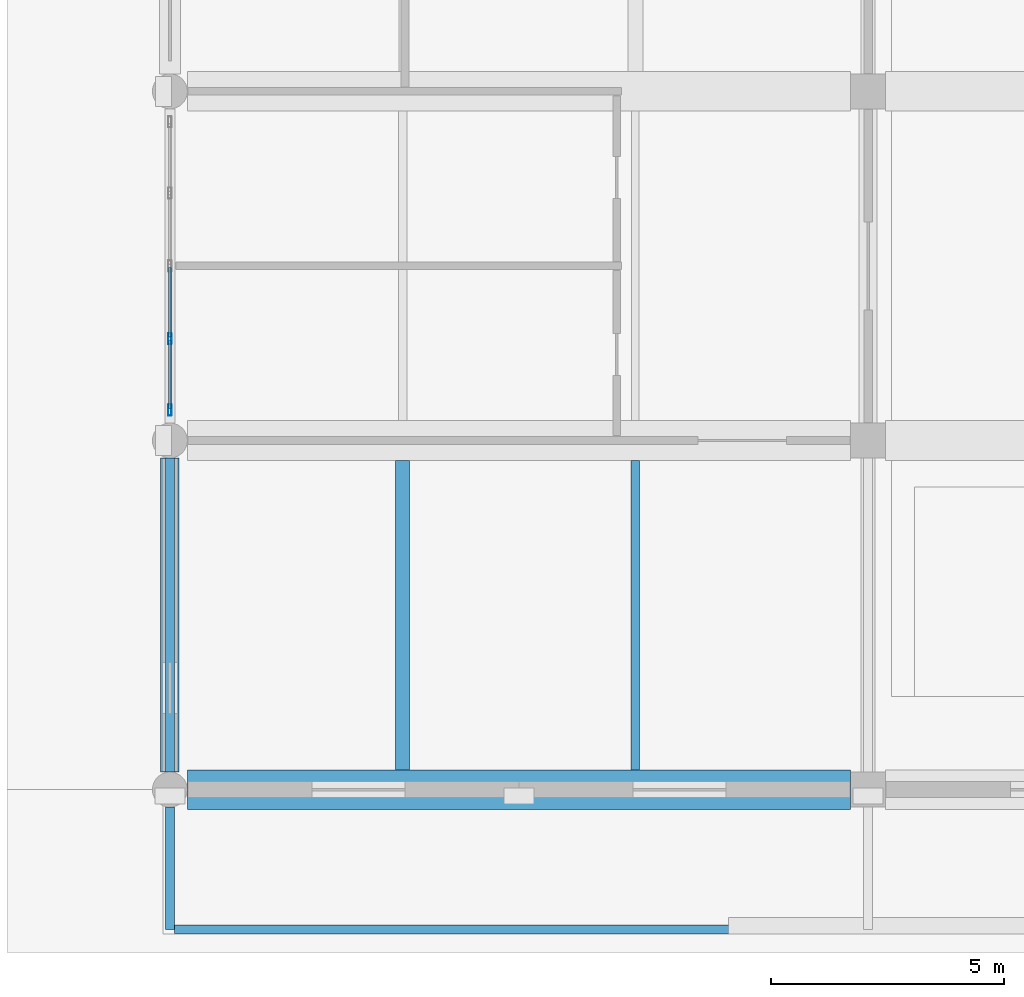
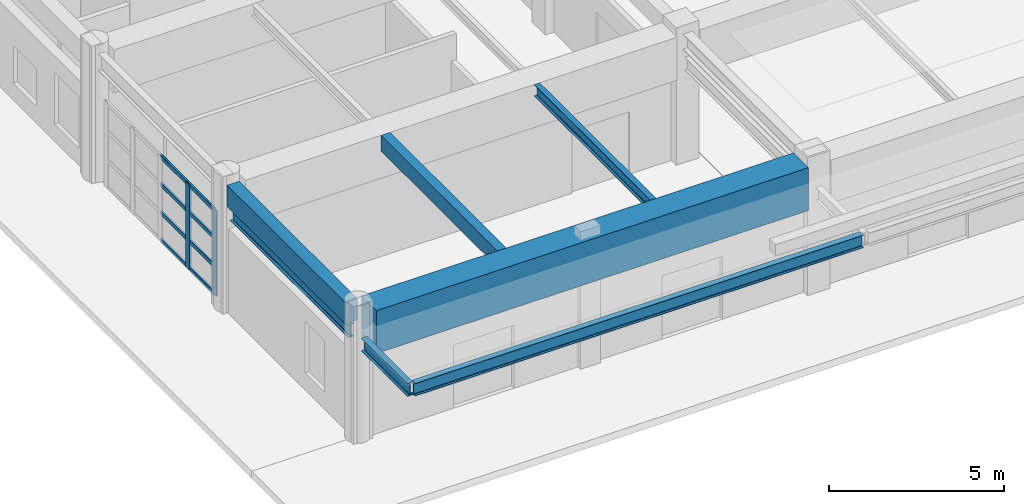
# One storey, part 3 of 122: 10 members, 7 beams, 1 element without a shape of its own.
"""IFC4 building model written with IfcOpenShell, lengths in metres."""

import ifcopenshell
import ifcopenshell.guid

model = None  # the IFC model being written
_history = None  # IfcOwnerHistory: only IFC2X3 demands one
_inside = {}  # id of a spatial element -> (the spatial element, [elements in it])
_under = {}  # id of a project, library or spatial element -> (it, [spatial elements below it])
_declared = {}  # id of a project -> (the project, [libraries it declares])
_typed = {}  # id of a type object -> (the type object, [elements of that type])
_made_of = {}  # id of a material, layer set ... -> (it, [elements and type objects made of it])


def new_model(schema):
    """Start an empty IFC model of exactly this schema.

    Asked for "IFC4X3", IfcOpenShell would pick the latest addendum, in which some entities
    have other attributes; the version numbers below select the first issue.
    IFC2X3 requires an IfcOwnerHistory on every rooted entity: one is made here for all.
    """
    global model, _history
    if schema == "IFC4X3":
        model = ifcopenshell.file(schema_version=(4, 3, 0, 0))
    else:
        model = ifcopenshell.file(schema=schema)
    _inside.clear()
    _under.clear()
    _declared.clear()
    _typed.clear()
    _made_of.clear()
    _history = None
    if model.schema == "IFC2X3":
        org = make("IfcOrganization", Name="unknown")
        user = make(
            "IfcPersonAndOrganization",
            ThePerson=make("IfcPerson", FamilyName="unknown"),
            TheOrganization=org,
        )
        app = make(
            "IfcApplication",
            ApplicationDeveloper=org,
            Version="unknown",
            ApplicationFullName="unknown",
            ApplicationIdentifier="unknown",
        )
        _history = make(
            "IfcOwnerHistory",
            OwningUser=user,
            OwningApplication=app,
            ChangeAction="ADDED",
            CreationDate=0,
        )
    return model


def make(cls, **values):
    """One entity of the class cls with the attributes given. An attribute that is None is left unset."""
    return model.create_entity(
        cls, **{name: value for name, value in values.items() if value is not None}
    )


def rooted(cls, **values):
    """An entity with a GlobalId (a new one), such as an element, a storey or a relation."""
    return make(cls, GlobalId=ifcopenshell.guid.new(), OwnerHistory=_history, **values)


def si_unit(unit_type, name, prefix=None):
    """IfcSIUnit, for example si_unit("LENGTHUNIT", "METRE", prefix="MILLI")."""
    return make("IfcSIUnit", UnitType=unit_type, Prefix=prefix, Name=name)


def assignment(units):
    """IfcUnitAssignment: the units of a project."""
    return None if units is None else make("IfcUnitAssignment", Units=units)


def point(xyz):
    """IfcCartesianPoint."""
    return None if xyz is None else make("IfcCartesianPoint", Coordinates=xyz)


def direction(xyz):
    """IfcDirection."""
    return None if xyz is None else make("IfcDirection", DirectionRatios=xyz)


def frame(location, z_axis=None, x_axis=None):
    """IfcAxis2Placement3D, a coordinate frame: its origin and axes. An axis left out is left unset."""
    return make(
        "IfcAxis2Placement3D",
        Location=point(location),
        Axis=direction(z_axis),
        RefDirection=direction(x_axis),
    )


def frame_2d(location, x_axis=None):
    """IfcAxis2Placement2D, a coordinate frame in the plane: its origin and x axis."""
    return make(
        "IfcAxis2Placement2D", Location=point(location), RefDirection=direction(x_axis)
    )


def origin():
    """The frame at (0, 0, 0) with its axes left unset."""
    return frame((0.0, 0.0, 0.0))


def origin_2d():
    """The frame at (0, 0) in the plane with its x axis left unset."""
    return frame_2d((0.0, 0.0))


def place(relative_to, where):
    """IfcLocalPlacement: puts the frame where relative to a parent placement (None: the world)."""
    return make(
        "IfcLocalPlacement", PlacementRelTo=relative_to, RelativePlacement=where
    )


def context(
    kind, dimensions, precision=None, world=None, true_north=None, identifier=None
):
    """IfcGeometricRepresentationContext, for example the 3D "Model" context."""
    return make(
        "IfcGeometricRepresentationContext",
        ContextIdentifier=identifier,
        ContextType=kind,
        CoordinateSpaceDimension=dimensions,
        Precision=precision,
        WorldCoordinateSystem=world,
        TrueNorth=true_north,
    )


def subcontext(parent, identifier, kind, view, scale=None):
    """IfcGeometricRepresentationSubContext, for example "Body" below "Model"."""
    return make(
        "IfcGeometricRepresentationSubContext",
        ContextIdentifier=identifier,
        ContextType=kind,
        ParentContext=parent,
        TargetScale=scale,
        TargetView=view,
    )


def project(units=None, contexts=None):
    """IfcProject with its units and contexts."""
    return rooted(
        "IfcProject",
        Name="project",
        RepresentationContexts=contexts,
        UnitsInContext=assignment(units),
    )


def spatial(cls, under=None, at=None, **own):
    """A site, building, storey or space (cls), placed at a placement, below another one or the project."""
    s = rooted(cls, ObjectPlacement=at, **own)
    if under is not None:
        _under.setdefault(under.id(), (under, []))[1].append(s)
    return s


def profile(cls, at=None, kind="AREA", **sizes):
    """A parametric profile (cls). Its sizes go by their IFC names, for example OverallWidth=200.0."""
    return make(cls, ProfileType=kind, Position=at, **sizes)


def rectangle(**sizes):
    """IfcRectangleProfileDef."""
    return profile("IfcRectangleProfileDef", **sizes)


def hollow_rectangle(**sizes):
    """IfcRectangleHollowProfileDef."""
    return profile("IfcRectangleHollowProfileDef", **sizes)


def i_section(**sizes):
    """IfcIShapeProfileDef."""
    return profile("IfcIShapeProfileDef", **sizes)


def extrude(swept, where, along, depth):
    """IfcExtrudedAreaSolid: the profile swept, set in the frame where, extruded along a direction by depth."""
    return make(
        "IfcExtrudedAreaSolid",
        SweptArea=swept,
        Position=where,
        ExtrudedDirection=direction(along),
        Depth=depth,
    )


def shape(context_of_items, identifier, shape_type, items):
    """IfcShapeRepresentation: the items that make up one representation, for example the "Body"."""
    return make(
        "IfcShapeRepresentation",
        ContextOfItems=context_of_items,
        RepresentationIdentifier=identifier,
        RepresentationType=shape_type,
        Items=items,
    )


def material(Name=None, Category=None):
    """IfcMaterial."""
    return make("IfcMaterial", Name=Name, Category=Category)


def material_profile(
    of_material, cross_section, Name=None, Category=None, Priority=None
):
    """IfcMaterialProfile: a cross section and its material."""
    return make(
        "IfcMaterialProfile",
        Name=Name,
        Material=of_material,
        Profile=cross_section,
        Priority=Priority,
        Category=Category,
    )


def profile_set(profiles, Name=None, composite=None):
    """IfcMaterialProfileSet."""
    return make(
        "IfcMaterialProfileSet",
        Name=Name,
        MaterialProfiles=profiles,
        CompositeProfile=composite,
    )


def made_of(thing, what):
    """Note that an element or type object is made of a material, layer set ...; save() writes the relation."""
    if what is not None:
        _made_of.setdefault(what.id(), (what, []))[1].append(thing)
    return thing


def type_object(cls, material=None, **own):
    """A type object (cls), such as IfcWallType, which elements share."""
    return made_of(rooted(cls, **own), material)


def element(
    cls,
    number,
    at=None,
    inside=None,
    cuts=None,
    type_object=None,
    material=None,
    context=None,
    identifier="Body",
    shape_type=None,
    held_by="IfcProductDefinitionShape",
    body=None,
    shapes=None,
    **own,
):
    """One element of the class cls, such as IfcWall. Its Tag is "e" and its number.

    at: its placement. inside: the storey or other place that contains it. cuts: it is an
    opening in that element (IfcRelVoidsElement). A single representation is given by context,
    identifier, shape_type and body (its items); several are given by shapes. held_by: the class
    of the entity that holds the representations. save() writes the other relations.
    """
    e = rooted(cls, Tag="e%d" % number, ObjectPlacement=at, **own)
    if body is not None:
        shapes = [shape(context, identifier, shape_type, body)]
    if shapes is not None:
        e.Representation = make(held_by, Representations=shapes)
    if inside is not None:
        _inside.setdefault(inside.id(), (inside, []))[1].append(e)
    if cuts is not None:
        rooted(
            "IfcRelVoidsElement", RelatingBuildingElement=cuts, RelatedOpeningElement=e
        )
    if type_object is not None:
        _typed.setdefault(type_object.id(), (type_object, []))[1].append(e)
    return made_of(e, material)


def aggregate(whole, parts):
    """IfcRelAggregates: a whole, such as a stair, and the parts it consists of."""
    return rooted("IfcRelAggregates", RelatingObject=whole, RelatedObjects=parts)


def save(model, path):
    """Write the relations noted so far, then the file.

    IfcRelAggregates (storeys below a building ...), IfcRelContainedInSpatialStructure (elements
    in a storey), IfcRelDefinesByType, IfcRelAssociatesMaterial and IfcRelDeclares: one each for
    every whole, place, type object, material and project.
    """
    for whole, parts in _under.values():
        aggregate(whole, parts)
    for where, things in _inside.values():
        rooted(
            "IfcRelContainedInSpatialStructure",
            RelatedElements=things,
            RelatingStructure=where,
        )
    for kind, things in _typed.values():
        rooted("IfcRelDefinesByType", RelatedObjects=things, RelatingType=kind)
    for what, things in _made_of.values():
        rooted("IfcRelAssociatesMaterial", RelatedObjects=things, RelatingMaterial=what)
    for by, libraries in _declared.values():
        rooted("IfcRelDeclares", RelatingContext=by, RelatedDefinitions=libraries)
    model.write(path)


model = new_model("IFC4")

# Units and contexts
model_context = context("Model", 3, precision=1e-05, world=origin(), true_north=direction((0.0, 1.0)))
body_context = subcontext(model_context, "Body", "Model", "MODEL_VIEW")
ifc_project = project(units=[si_unit("LENGTHUNIT", "METRE"), si_unit("AREAUNIT", "SQUARE_METRE"), si_unit("VOLUMEUNIT", "CUBIC_METRE"), si_unit("PLANEANGLEUNIT", "RADIAN"), si_unit("MASSUNIT", "GRAM", prefix="KILO")], contexts=[model_context])

# Site, building, storey
site_placement = place(None, origin())
site = spatial("IfcSite", under=ifc_project, at=site_placement, CompositionType="ELEMENT")
building_placement = place(site_placement, origin())
building = spatial("IfcBuilding", under=site, at=building_placement, Name="Qasida Concert Hall", CompositionType="ELEMENT")
storey_placement = place(building_placement, origin())
storey = spatial("IfcBuildingStorey", under=building, at=storey_placement, Name="L00", CompositionType="ELEMENT", Elevation=0.0)

# Beams
ifc_material_1 = material(Name="Steel S355J2", Category="steel")
ifc_material_profile_1 = material_profile(ifc_material_1, i_section(OverallWidth=0.18994140625, OverallDepth=0.449951171875, WebThickness=0.009521484375, FlangeThickness=0.0146484375, FilletRadius=0.02099609375, at=origin_2d()), Name="IPE 450")
ifc_profile_set_1 = profile_set([ifc_material_profile_1], Name="Steel S355J2")
beam_type_1 = type_object("IfcBeamType", Name="BM-B5", PredefinedType="BEAM", material=ifc_profile_set_1)
beam_1_placement = place(storey_placement, frame((0.0, -0.375, 3.449951171875), z_axis=(0.0, -1.0, 0.0), x_axis=(1.0, 0.0, 0.0)))
element("IfcBeam", 1, at=beam_1_placement, inside=storey, type_object=beam_type_1, Name="Grand foyer marquee outrigger beam MRQ-V3-0", PredefinedType="BEAM", context=body_context, shape_type="SweptSolid", body=[
    extrude(i_section(OverallWidth=0.18994140625, OverallDepth=0.449951171875, WebThickness=0.009521484375, FlangeThickness=0.0146484375, FilletRadius=0.02099609375, at=origin_2d()), origin(), (0.0, 0.0, 1.0), 2.625),
])
beam_2_placement = place(storey_placement, frame((0.0, 0.375, 3.449951171875), z_axis=(0.0, 1.0, 0.0), x_axis=(-1.0, 0.0, 0.0)))
element("IfcBeam", 2, at=beam_2_placement, inside=storey, type_object=beam_type_1, Name="Grand foyer marquee backspan beam MRQB-V3-0", PredefinedType="BEAM", context=body_context, shape_type="SweptSolid", body=[
    extrude(i_section(OverallWidth=0.18994140625, OverallDepth=0.449951171875, WebThickness=0.009521484375, FlangeThickness=0.0146484375, FilletRadius=0.02099609375, at=origin_2d()), origin(), (0.0, 0.0, 1.0), 6.75),
])
beam_3_placement = place(storey_placement, frame((0.10009765625, -3.0, 3.449951171875), z_axis=(1.0, 0.0, 0.0), x_axis=(0.0, 1.0, 0.0)))
element("IfcBeam", 3, at=beam_3_placement, inside=storey, type_object=beam_type_1, Name="Grand foyer marquee fascia beam MRQF-V3-1", PredefinedType="BEAM", context=body_context, shape_type="SweptSolid", body=[
    extrude(i_section(OverallWidth=0.18994140625, OverallDepth=0.449951171875, WebThickness=0.009521484375, FlangeThickness=0.0146484375, FilletRadius=0.02099609375, at=origin_2d()), origin(), (0.0, 0.0, 1.0), 14.7998046875),
])
ifc_material_2 = material(Name="Concrete C40/50", Category="concrete")
ifc_material_profile_2 = material_profile(ifc_material_2, rectangle(XDim=0.300048828125, YDim=0.550048828125, at=origin_2d()), Name="RC 300x550")
ifc_profile_set_2 = profile_set([ifc_material_profile_2], Name="Concrete C40/50")
beam_type_2 = type_object("IfcBeamType", Name="BM-J1", PredefinedType="JOIST", material=ifc_profile_set_2)
beam_4_placement = place(storey_placement, frame((5.0, 0.425048828125, 4.22509765625), z_axis=(0.0, 1.0, 0.0), x_axis=(-1.0, 0.0, 0.0)))
element("IfcBeam", 4, at=beam_4_placement, inside=storey, type_object=beam_type_2, Name="L00 secondary joist 0560", PredefinedType="JOIST", context=body_context, shape_type="SweptSolid", body=[
    extrude(rectangle(XDim=0.300048828125, YDim=0.550048828125, at=origin_2d()), origin(), (0.0, 0.0, 1.0), 6.64990234375),
])
ifc_material_profile_3 = material_profile(ifc_material_1, i_section(OverallWidth=0.179931640625, OverallDepth=0.39990234375, WebThickness=0.008544921875, FlangeThickness=0.013427734375, FilletRadius=0.02099609375, at=origin_2d()), Name="IPE 400")
ifc_profile_set_3 = profile_set([ifc_material_profile_3], Name="Steel S355J2")
beam_type_3 = type_object("IfcBeamType", Name="BM-J3", PredefinedType="JOIST", material=ifc_profile_set_3)
beam_5_placement = place(storey_placement, frame((10.0, 0.425048828125, 4.300048828125), z_axis=(0.0, 1.0, 0.0), x_axis=(-1.0, 0.0, 0.0)))
element("IfcBeam", 5, at=beam_5_placement, inside=storey, type_object=beam_type_3, Name="L00 secondary joist 0561", PredefinedType="JOIST", context=body_context, shape_type="SweptSolid", body=[
    extrude(i_section(OverallWidth=0.179931640625, OverallDepth=0.39990234375, WebThickness=0.008544921875, FlangeThickness=0.013427734375, FilletRadius=0.02099609375, at=origin_2d()), origin(), (0.0, 0.0, 1.0), 6.64990234375),
])
ifc_material_profile_4 = material_profile(ifc_material_2, rectangle(XDim=0.39990234375, YDim=0.75, at=origin_2d()), Name="RC 400x750")
ifc_profile_set_4 = profile_set([ifc_material_profile_4], Name="Concrete C40/50")
beam_type_4 = type_object("IfcBeamType", Name="BM-SP1", PredefinedType="SPANDREL", material=ifc_profile_set_4)
beam_6_placement = place(storey_placement, frame((0.0, 0.375, 4.125), z_axis=(0.0, 1.0, 0.0), x_axis=(-1.0, 0.0, 0.0)))
element("IfcBeam", 6, at=beam_6_placement, inside=storey, type_object=beam_type_4, Name="L00 girder 0532", PredefinedType="SPANDREL", context=body_context, shape_type="SweptSolid", body=[
    extrude(rectangle(XDim=0.39990234375, YDim=0.75, at=origin_2d()), origin(), (0.0, 0.0, 1.0), 6.75),
])
ifc_material_3 = material(Name="Concrete C50/60", Category="concrete")
ifc_material_profile_5 = material_profile(ifc_material_3, rectangle(XDim=0.85009765625, YDim=1.5, at=origin_2d()), Name="RC 850x1500")
ifc_profile_set_5 = profile_set([ifc_material_profile_5], Name="Concrete C50/60")
beam_type_5 = type_object("IfcBeamType", Name="BM-TG2", PredefinedType="USERDEFINED", material=ifc_profile_set_5)
beam_7_placement = place(storey_placement, frame((0.375, 0.0, 3.75), z_axis=(1.0, 0.0, 0.0), x_axis=(0.0, 1.0, 0.0)))
element("IfcBeam", 7, at=beam_7_placement, inside=storey, type_object=beam_type_5, Name="Transfer girder TG-0508", ObjectType="GIRDER", PredefinedType="USERDEFINED", context=body_context, shape_type="SweptSolid", body=[
    extrude(rectangle(XDim=0.85009765625, YDim=1.5, at=origin_2d()), origin(), (0.0, 0.0, 1.0), 14.25),
])

# Curtain wall, members
ifc_material_4 = material(Name="Architectural bronze-anodized aluminium and low-E glass", Category="aluminium")
curtain_wall_type = type_object("IfcCurtainWallType", Name="CW-06", PredefinedType="NOTDEFINED", material=ifc_material_4)
curtain_wall_placement = place(storey_placement, origin())
curtain_wall = element("IfcCurtainWall", 8, at=curtain_wall_placement, inside=storey, type_object=curtain_wall_type, Name="L00 curtain wall CW-06 0074", PredefinedType="NOTDEFINED")
ifc_material_5 = material(Name="Architectural bronze-anodized aluminium EN AW-6063", Category="aluminium")
ifc_material_profile_6 = material_profile(ifc_material_5, hollow_rectangle(XDim=0.070068359375, YDim=0.239990234375, WallThickness=0.0048828125, InnerFilletRadius=0.0048828125, OuterFilletRadius=0.010009765625, at=origin_2d()), Name="CWM 240x70x5")
ifc_profile_set_6 = profile_set([ifc_material_profile_6], Name="Architectural bronze-anodized aluminium EN AW-6063")
member_type_1 = type_object("IfcMemberType", Name="MB-CWM-1", PredefinedType="MULLION", material=ifc_profile_set_6)
member_1_placement = place(storey_placement, frame((0.0, 8.155029296875, 0.0), z_axis=(0.0, 0.0, 1.0), x_axis=(-1.0, 0.0, 0.0)))
member_1 = element("IfcMember", 9, at=member_1_placement, type_object=member_type_1, Name="CW-06 mullion 1", PredefinedType="MULLION", context=body_context, shape_type="SweptSolid", body=[
    extrude(hollow_rectangle(XDim=0.070068359375, YDim=0.239990234375, WallThickness=0.0048828125, InnerFilletRadius=0.0048828125, OuterFilletRadius=0.010009765625, at=origin_2d()), origin(), (0.0, 0.0, 1.0), 2.969970703125),
])
member_2_placement = place(storey_placement, frame((0.0, 9.68505859375, 0.0), z_axis=(0.0, 0.0, 1.0), x_axis=(-1.0, 0.0, 0.0)))
member_2 = element("IfcMember", 10, at=member_2_placement, type_object=member_type_1, Name="CW-06 mullion 2", PredefinedType="MULLION", context=body_context, shape_type="SweptSolid", body=[
    extrude(hollow_rectangle(XDim=0.070068359375, YDim=0.239990234375, WallThickness=0.0048828125, InnerFilletRadius=0.0048828125, OuterFilletRadius=0.010009765625, at=origin_2d()), origin(), (0.0, 0.0, 1.0), 2.969970703125),
])
ifc_material_profile_7 = material_profile(ifc_material_5, hollow_rectangle(XDim=0.06494140625, YDim=0.14990234375, WallThickness=0.00390625, InnerFilletRadius=0.00390625, OuterFilletRadius=0.008056640625, at=origin_2d()), Name="CWT 150x65x4")
ifc_profile_set_7 = profile_set([ifc_material_profile_7], Name="Architectural bronze-anodized aluminium EN AW-6063")
member_type_2 = type_object("IfcMemberType", Name="MB-CWT-1", PredefinedType="USERDEFINED", material=ifc_profile_set_7)
member_3_placement = place(storey_placement, frame((0.0, 8.18994140625, 0.032470703125), z_axis=(0.0, 1.0, 0.0), x_axis=(-1.0, 0.0, 0.0)))
member_3 = element("IfcMember", 11, at=member_3_placement, type_object=member_type_2, Name="CW-06 transom 1.1", ObjectType="TRANSOM", PredefinedType="USERDEFINED", context=body_context, shape_type="SweptSolid", body=[
    extrude(hollow_rectangle(XDim=0.06494140625, YDim=0.14990234375, WallThickness=0.00390625, InnerFilletRadius=0.00390625, OuterFilletRadius=0.008056640625, at=origin_2d()), origin(), (0.0, 0.0, 1.0), 1.4599609375),
])
member_4_placement = place(storey_placement, frame((0.0, 8.18994140625, 0.989990234375), z_axis=(0.0, 1.0, 0.0), x_axis=(-1.0, 0.0, 0.0)))
member_4 = element("IfcMember", 12, at=member_4_placement, type_object=member_type_2, Name="CW-06 transom 1.2", ObjectType="TRANSOM", PredefinedType="USERDEFINED", context=body_context, shape_type="SweptSolid", body=[
    extrude(hollow_rectangle(XDim=0.06494140625, YDim=0.14990234375, WallThickness=0.00390625, InnerFilletRadius=0.00390625, OuterFilletRadius=0.008056640625, at=origin_2d()), origin(), (0.0, 0.0, 1.0), 1.4599609375),
])
member_5_placement = place(storey_placement, frame((0.0, 8.18994140625, 1.97998046875), z_axis=(0.0, 1.0, 0.0), x_axis=(-1.0, 0.0, 0.0)))
member_5 = element("IfcMember", 13, at=member_5_placement, type_object=member_type_2, Name="CW-06 transom 1.3", ObjectType="TRANSOM", PredefinedType="USERDEFINED", context=body_context, shape_type="SweptSolid", body=[
    extrude(hollow_rectangle(XDim=0.06494140625, YDim=0.14990234375, WallThickness=0.00390625, InnerFilletRadius=0.00390625, OuterFilletRadius=0.008056640625, at=origin_2d()), origin(), (0.0, 0.0, 1.0), 1.4599609375),
])
member_6_placement = place(storey_placement, frame((0.0, 8.18994140625, 2.9375), z_axis=(0.0, 1.0, 0.0), x_axis=(-1.0, 0.0, 0.0)))
member_6 = element("IfcMember", 14, at=member_6_placement, type_object=member_type_2, Name="CW-06 transom 1.4", ObjectType="TRANSOM", PredefinedType="USERDEFINED", context=body_context, shape_type="SweptSolid", body=[
    extrude(hollow_rectangle(XDim=0.06494140625, YDim=0.14990234375, WallThickness=0.00390625, InnerFilletRadius=0.00390625, OuterFilletRadius=0.008056640625, at=origin_2d()), origin(), (0.0, 0.0, 1.0), 1.4599609375),
])
member_7_placement = place(storey_placement, frame((0.0, 9.719970703125, 0.032470703125), z_axis=(0.0, 1.0, 0.0), x_axis=(-1.0, 0.0, 0.0)))
member_7 = element("IfcMember", 15, at=member_7_placement, type_object=member_type_2, Name="CW-06 transom 2.1", ObjectType="TRANSOM", PredefinedType="USERDEFINED", context=body_context, shape_type="SweptSolid", body=[
    extrude(hollow_rectangle(XDim=0.06494140625, YDim=0.14990234375, WallThickness=0.00390625, InnerFilletRadius=0.00390625, OuterFilletRadius=0.008056640625, at=origin_2d()), origin(), (0.0, 0.0, 1.0), 1.4951171875),
])
member_8_placement = place(storey_placement, frame((0.0, 9.719970703125, 0.989990234375), z_axis=(0.0, 1.0, 0.0), x_axis=(-1.0, 0.0, 0.0)))
member_8 = element("IfcMember", 16, at=member_8_placement, type_object=member_type_2, Name="CW-06 transom 2.2", ObjectType="TRANSOM", PredefinedType="USERDEFINED", context=body_context, shape_type="SweptSolid", body=[
    extrude(hollow_rectangle(XDim=0.06494140625, YDim=0.14990234375, WallThickness=0.00390625, InnerFilletRadius=0.00390625, OuterFilletRadius=0.008056640625, at=origin_2d()), origin(), (0.0, 0.0, 1.0), 1.4951171875),
])
member_9_placement = place(storey_placement, frame((0.0, 9.719970703125, 1.97998046875), z_axis=(0.0, 1.0, 0.0), x_axis=(-1.0, 0.0, 0.0)))
member_9 = element("IfcMember", 17, at=member_9_placement, type_object=member_type_2, Name="CW-06 transom 2.3", ObjectType="TRANSOM", PredefinedType="USERDEFINED", context=body_context, shape_type="SweptSolid", body=[
    extrude(hollow_rectangle(XDim=0.06494140625, YDim=0.14990234375, WallThickness=0.00390625, InnerFilletRadius=0.00390625, OuterFilletRadius=0.008056640625, at=origin_2d()), origin(), (0.0, 0.0, 1.0), 1.4951171875),
])
member_10_placement = place(storey_placement, frame((0.0, 9.719970703125, 2.9375), z_axis=(0.0, 1.0, 0.0), x_axis=(-1.0, 0.0, 0.0)))
member_10 = element("IfcMember", 18, at=member_10_placement, type_object=member_type_2, Name="CW-06 transom 2.4", ObjectType="TRANSOM", PredefinedType="USERDEFINED", context=body_context, shape_type="SweptSolid", body=[
    extrude(hollow_rectangle(XDim=0.06494140625, YDim=0.14990234375, WallThickness=0.00390625, InnerFilletRadius=0.00390625, OuterFilletRadius=0.008056640625, at=origin_2d()), origin(), (0.0, 0.0, 1.0), 1.4951171875),
])
aggregate(curtain_wall, [member_1, member_2, member_3, member_4, member_5, member_6, member_7, member_8, member_9, member_10])

save(model, "model.ifc")
